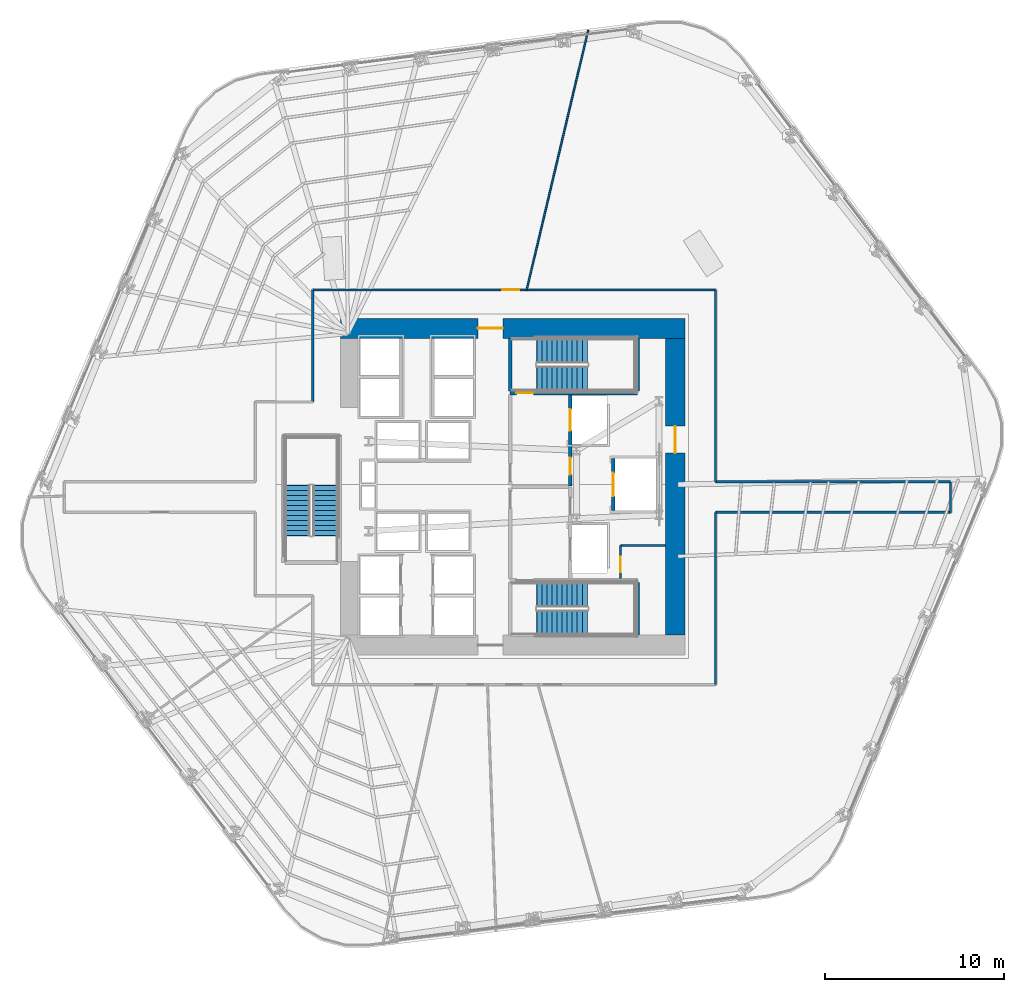
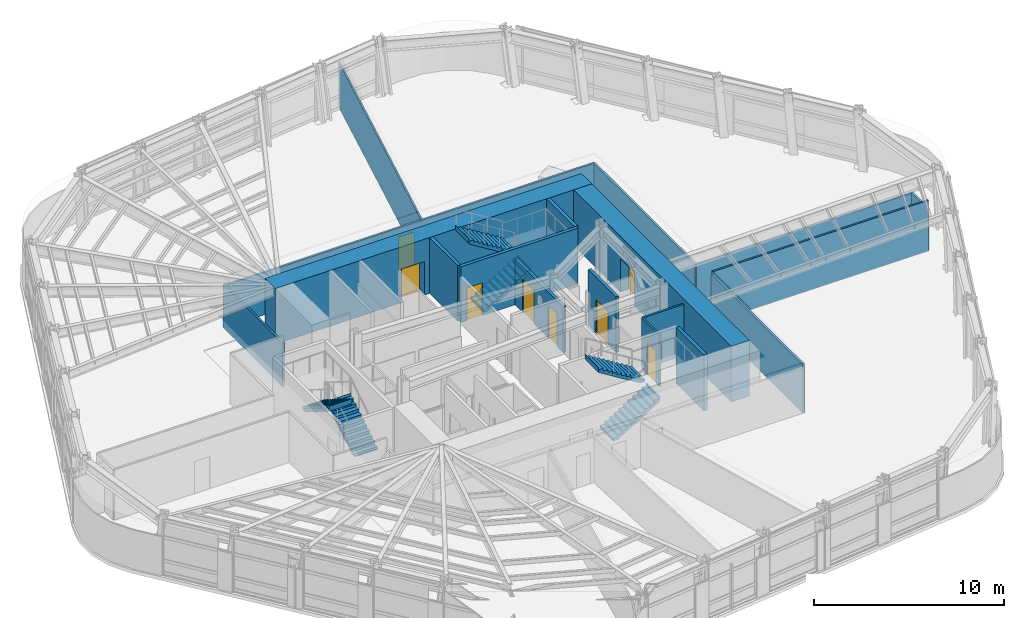
# One storey, part 9 of 16: 18 walls, 8 doors, 6 stair flights, 8 openings, 3 elements without a shape of their own.
"""IFC4 building model written with IfcOpenShell, lengths in metres."""

from ifc_helpers import new_model, si_unit, direction, frame, frame_2d, origin, place, context, subcontext, project, spatial, polyline, rectangle, outline, extrude, material, layer, layer_set, type_object, element, fill, aggregate, save


model = new_model("IFC4")

# Units and contexts
model_context = context("Model", 3, precision=1e-05, world=origin(), true_north=direction((0.0, 1.0)))
body_context = subcontext(model_context, "Body", "Model", "MODEL_VIEW")
ifc_project = project(units=[si_unit("LENGTHUNIT", "METRE"), si_unit("AREAUNIT", "SQUARE_METRE"), si_unit("VOLUMEUNIT", "CUBIC_METRE"), si_unit("PLANEANGLEUNIT", "RADIAN"), si_unit("MASSUNIT", "GRAM", prefix="KILO")], contexts=[model_context])

# Site, building, storey
site_placement = place(None, origin())
site = spatial("IfcSite", under=ifc_project, at=site_placement, CompositionType="ELEMENT")
building_placement = place(site_placement, origin())
building = spatial("IfcBuilding", under=site, at=building_placement, Name="Valkerne Bourse Tower", CompositionType="ELEMENT")
storey_placement = place(building_placement, frame((0.0, 0.0, 54.39990234375)))
storey = spatial("IfcBuildingStorey", under=building, at=storey_placement, Name="L13", CompositionType="ELEMENT", Elevation=54.39990234375)

# Wall, opening, door
ifc_material_1 = material(Name="Concrete C70/85", Category="concrete")
ifc_layer_1 = layer(ifc_material_1, 1.10009765625)
ifc_layer_set_1 = layer_set([ifc_layer_1], Name="Concrete C70/85")
wall_type_1 = type_object("IfcWallType", Name="W-CORE-1100", PredefinedType="SHEAR", material=ifc_layer_set_1)
wall_1_placement = place(storey_placement, frame((37.199951171875, 35.699951171875, 0.0), z_axis=(0.0, 0.0, 1.0), x_axis=(1.0, 0.0, 0.0)))
wall_1 = element("IfcWall", 1, at=wall_1_placement, inside=storey, type_object=wall_type_1, Name="L13 Core Shear Wall NORTH", PredefinedType="SHEAR", context=body_context, shape_type="SweptSolid", body=[
    extrude(rectangle(XDim=19.199951171875, YDim=1.10009765625, at=frame_2d((9.60009765625, 0.0))), origin(), (0.0, 0.0, 1.0), 3.580078125),
])
opening_1_placement = place(wall_1_placement, frame((7.64990234375, 0.0, 0.0)))
opening_1 = element("IfcOpeningElement", 2, at=opening_1_placement, cuts=wall_1, Name="Opening D-PL-1400", PredefinedType="OPENING", context=body_context, shape_type="SweptSolid", body=[
    extrude(rectangle(XDim=1.39990234375, YDim=2.14990234375, at=frame_2d((0.699951171875, 1.074951171875))), frame((0.0, 0.56005859375, 0.0), z_axis=(0.0, -1.0, 0.0), x_axis=(1.0, 0.0, 0.0)), (0.0, 0.0, 1.0), 1.1201171875),
])
ifc_material_2 = material(Name="Galvanised Painted Steel", Category="steel")
door_type_1 = type_object("IfcDoorType", Name="DR-PLT-1400", OperationType="DOUBLE_DOOR_SINGLE_SWING", PredefinedType="DOOR", material=ifc_material_2)
door_1_placement = place(opening_1_placement, origin())
door_1 = element("IfcDoor", 3, at=door_1_placement, inside=storey, type_object=door_type_1, Name="L13 North Passenger Lift Hall Fire Door", OperationType="DOUBLE_DOOR_SINGLE_SWING", OverallHeight=2.14990234375, OverallWidth=1.39990234375, PredefinedType="DOOR", context=body_context, shape_type="SweptSolid", body=[
    extrude(rectangle(XDim=1.39990234375, YDim=2.14990234375, at=frame_2d((0.699951171875, 1.074951171875))), frame((0.0, 0.02490234375, 0.0), z_axis=(0.0, -1.0, 0.0), x_axis=(1.0, 0.0, 0.0)), (0.0, 0.0, 1.0), 0.050048828125),
])
fill(opening_1, door_1)

wall_2_placement = place(storey_placement, frame((55.85009765625, 18.60009765625, 0.0), z_axis=(0.0, 0.0, 1.0), x_axis=(0.0, 1.0, 0.0)))
wall_2 = element("IfcWall", 4, at=wall_2_placement, inside=storey, type_object=wall_type_1, Name="L13 Core Shear Wall EAST", PredefinedType="SHEAR", context=body_context, shape_type="SweptSolid", body=[
    extrude(rectangle(XDim=16.5498046875, YDim=1.10009765625, at=frame_2d((8.27490234375, 0.0))), origin(), (0.0, 0.0, 1.0), 3.580078125),
])
opening_2_placement = place(wall_2_placement, frame((10.14990234375, 0.0, 0.0)))
opening_2 = element("IfcOpeningElement", 5, at=opening_2_placement, cuts=wall_2, Name="Opening D-CR-1500", PredefinedType="OPENING", context=body_context, shape_type="SweptSolid", body=[
    extrude(rectangle(XDim=1.5, YDim=2.14990234375, at=frame_2d((0.75, 1.074951171875))), frame((0.0, 0.56005859375, 0.0), z_axis=(0.0, -1.0, 0.0), x_axis=(1.0, 0.0, 0.0)), (0.0, 0.0, 1.0), 1.1201171875),
])
door_type_2 = type_object("IfcDoorType", Name="DR-CORR-1500", OperationType="DOUBLE_DOOR_SINGLE_SWING", PredefinedType="DOOR", material=ifc_material_2)
door_2_placement = place(opening_2_placement, origin())
door_2 = element("IfcDoor", 6, at=door_2_placement, inside=storey, type_object=door_type_2, Name="L13 East Core Service Lobby Fire Door", OperationType="DOUBLE_DOOR_SINGLE_SWING", OverallHeight=2.14990234375, OverallWidth=1.5, PredefinedType="DOOR", context=body_context, shape_type="SweptSolid", body=[
    extrude(rectangle(XDim=1.5, YDim=2.14990234375, at=frame_2d((0.75, 1.074951171875))), frame((0.0, 0.02490234375, 0.0), z_axis=(0.0, -1.0, 0.0), x_axis=(1.0, 0.0, 0.0)), (0.0, 0.0, 1.0), 0.050048828125),
])
fill(opening_2, door_2)

ifc_material_3 = material(Name="Gypsum Board Steel-Stud Partition", Category="steel")
ifc_layer_2 = layer(ifc_material_3, 0.117919921875)
ifc_layer_set_2 = layer_set([ifc_layer_2], Name="Gypsum Board Steel-Stud Partition")
wall_type_2 = type_object("IfcWallType", Name="W-CORR-140", PredefinedType="PARTITIONING", material=ifc_layer_set_2)
wall_3_placement = place(storey_placement, frame((52.800048828125, 21.75, 0.0), z_axis=(0.0, 0.0, 1.0), x_axis=(0.0, 1.0, 0.0)))
wall_3 = element("IfcWall", 7, at=wall_3_placement, inside=storey, type_object=wall_type_2, Name="L13 Core SE South-Bay West Wall", PredefinedType="PARTITIONING", context=body_context, shape_type="SweptSolid", body=[
    extrude(rectangle(XDim=1.85009765625, YDim=0.117919921875, at=frame_2d((0.925048828125, 0.0))), origin(), (0.0, 0.0, 1.0), 3.280029296875),
])
opening_3_placement = place(wall_3_placement, frame((0.35009765625, 0.0, 0.0)))
opening_3 = element("IfcOpeningElement", 8, at=opening_3_placement, cuts=wall_3, Name="Opening D-WC-900", PredefinedType="OPENING", context=body_context, shape_type="SweptSolid", body=[
    extrude(rectangle(XDim=0.860107421875, YDim=2.050048828125, at=frame_2d((0.43017578125, 1.02490234375))), frame((0.0, 0.06884765625, 0.0), z_axis=(0.0, -1.0, 0.0), x_axis=(1.0, 0.0, 0.0)), (0.0, 0.0, 1.0), 0.137939453125),
])
ifc_material_4 = material(Name="Architectural White Oak Timber", Category="wood")
door_type_3 = type_object("IfcDoorType", Name="DR-WC-900", OperationType="NOTDEFINED", PredefinedType="DOOR", material=ifc_material_4)
door_3_placement = place(opening_3_placement, origin())
door_3 = element("IfcDoor", 9, at=door_3_placement, inside=storey, type_object=door_type_3, Name="L13 Janitor Store Door", OperationType="SINGLE_SWING_LEFT", OverallHeight=2.050048828125, OverallWidth=0.860107421875, PredefinedType="DOOR", context=body_context, shape_type="SweptSolid", body=[
    extrude(rectangle(XDim=0.860107421875, YDim=2.050048828125, at=frame_2d((0.43017578125, 1.02490234375))), frame((0.0, 0.02490234375, 0.0), z_axis=(0.0, -1.0, 0.0), x_axis=(1.0, 0.0, 0.0)), (0.0, 0.0, 1.0), 0.050048828125),
])
fill(opening_3, door_3)

# Walls
wall_4_placement = place(storey_placement, frame((52.800048828125, 23.60009765625, 0.0), z_axis=(0.0, 0.0, 1.0), x_axis=(1.0, 0.0, 0.0)))
element("IfcWall", 10, at=wall_4_placement, inside=storey, type_object=wall_type_2, Name="L13 Core SE South-Bay North Wall", PredefinedType="PARTITIONING", context=body_context, shape_type="SweptSolid", body=[
    extrude(rectangle(XDim=2.52001953125, YDim=0.117919921875, at=frame_2d((1.260009765625, 0.0))), origin(), (0.0, 0.0, 1.0), 3.280029296875),
])
wall_5_placement = place(storey_placement, frame((58.10009765625, 27.14990234375, 0.0), z_axis=(0.0, 0.0, 1.0), x_axis=(1.0, 0.0, 0.0)))
element("IfcWall", 11, at=wall_5_placement, inside=storey, type_object=wall_type_2, Name="L13 Corridor Enclosure Wall", PredefinedType="PARTITIONING", context=body_context, shape_type="SweptSolid", body=[
    extrude(rectangle(XDim=13.099853515625, YDim=0.117919921875, at=frame_2d((6.5498046875, 0.0))), origin(), (0.0, 0.0, 1.0), 2.71142578125),
])
wall_6_placement = place(storey_placement, frame((71.199951171875, 27.14990234375, 0.0), z_axis=(0.0, 0.0, 1.0), x_axis=(0.0, -1.0, 0.0)))
element("IfcWall", 12, at=wall_6_placement, inside=storey, type_object=wall_type_2, Name="L13 Corridor Enclosure Wall", PredefinedType="PARTITIONING", context=body_context, shape_type="SweptSolid", body=[
    extrude(rectangle(XDim=1.699951171875, YDim=0.117919921875, at=frame_2d((0.85009765625, 0.0))), origin(), (0.0, 0.0, 1.0), 2.71142578125),
])
wall_7_placement = place(storey_placement, frame((71.199951171875, 25.449951171875, 0.0), z_axis=(0.0, 0.0, 1.0), x_axis=(-1.0, 0.0, 0.0)))
element("IfcWall", 13, at=wall_7_placement, inside=storey, type_object=wall_type_2, Name="L13 Corridor Enclosure Wall", PredefinedType="PARTITIONING", context=body_context, shape_type="SweptSolid", body=[
    extrude(rectangle(XDim=13.099853515625, YDim=0.117919921875, at=frame_2d((6.5498046875, 0.0))), origin(), (0.0, 0.0, 1.0), 3.260009765625),
])
wall_8_placement = place(storey_placement, frame((58.10009765625, 25.449951171875, 0.0), z_axis=(0.0, 0.0, 1.0), x_axis=(0.0, -1.0, 0.0)))
element("IfcWall", 14, at=wall_8_placement, inside=storey, type_object=wall_type_2, Name="L13 Corridor Enclosure Wall", PredefinedType="PARTITIONING", context=body_context, shape_type="SweptSolid", body=[
    extrude(rectangle(XDim=9.599853515625, YDim=0.117919921875, at=frame_2d((4.7998046875, 0.0))), origin(), (0.0, 0.0, 1.0), 3.11279296875),
])
wall_9_placement = place(storey_placement, frame((35.64990234375, 31.60009765625, 0.0), z_axis=(0.0, 0.0, 1.0), x_axis=(0.0, 1.0, 0.0)))
element("IfcWall", 15, at=wall_9_placement, inside=storey, type_object=wall_type_2, Name="L13 Corridor Enclosure Wall", PredefinedType="PARTITIONING", context=body_context, shape_type="SweptSolid", body=[
    extrude(rectangle(XDim=6.25, YDim=0.117919921875, at=frame_2d((3.125, 0.0))), origin(), (0.0, 0.0, 1.0), 2.800537109375),
])

# Wall, opening, door
wall_10_placement = place(storey_placement, frame((35.64990234375, 37.85009765625, 0.0), z_axis=(0.0, 0.0, 1.0), x_axis=(1.0, 0.0, 0.0)))
wall_10 = element("IfcWall", 16, at=wall_10_placement, inside=storey, type_object=wall_type_2, Name="L13 Corridor Enclosure Wall", PredefinedType="PARTITIONING", context=body_context, shape_type="SweptSolid", body=[
    extrude(rectangle(XDim=22.4501953125, YDim=0.117919921875, at=frame_2d((11.22509765625, 0.0))), origin(), (0.0, 0.0, 1.0), 2.71142578125),
])
opening_4_placement = place(wall_10_placement, frame((10.570068359375, 0.0, 0.0)))
opening_4 = element("IfcOpeningElement", 17, at=opening_4_placement, cuts=wall_10, Name="Opening D-OF-950", PredefinedType="OPENING", context=body_context, shape_type="SweptSolid", body=[
    extrude(rectangle(XDim=0.949951171875, YDim=2.10009765625, at=frame_2d((0.47509765625, 1.050048828125))), frame((0.0, 0.06884765625, 0.0), z_axis=(0.0, -1.0, 0.0), x_axis=(1.0, 0.0, 0.0)), (0.0, 0.0, 1.0), 0.137939453125),
])
door_type_4 = type_object("IfcDoorType", Name="DR-OFF-950", OperationType="NOTDEFINED", PredefinedType="DOOR", material=ifc_material_4)
door_4_placement = place(opening_4_placement, origin())
door_4 = element("IfcDoor", 18, at=door_4_placement, inside=storey, type_object=door_type_4, Name="L13 L13 Commodities Market Showroom 5 Door", OperationType="SINGLE_SWING_LEFT", OverallHeight=2.10009765625, OverallWidth=0.949951171875, PredefinedType="DOOR", context=body_context, shape_type="SweptSolid", body=[
    extrude(rectangle(XDim=0.949951171875, YDim=2.10009765625, at=frame_2d((0.47509765625, 1.050048828125))), frame((0.0, 0.02490234375, 0.0), z_axis=(0.0, -1.0, 0.0), x_axis=(1.0, 0.0, 0.0)), (0.0, 0.0, 1.0), 0.050048828125),
])
fill(opening_4, door_4)

# Wall
wall_11_placement = place(storey_placement, frame((58.10009765625, 37.85009765625, 0.0), z_axis=(0.0, 0.0, 1.0), x_axis=(0.0, -1.0, 0.0)))
element("IfcWall", 19, at=wall_11_placement, inside=storey, type_object=wall_type_2, Name="L13 Corridor Enclosure Wall", PredefinedType="PARTITIONING", context=body_context, shape_type="SweptSolid", body=[
    extrude(rectangle(XDim=10.7001953125, YDim=0.117919921875, at=frame_2d((5.35009765625, 0.0))), origin(), (0.0, 0.0, 1.0), 2.71142578125),
])

# Wall, openings, doors
ifc_material_5 = material(Name="Gypsum Fire-Rated Shaftwall", Category="gypsum")
ifc_layer_3 = layer(ifc_material_5, 0.179931640625)
ifc_layer_set_3 = layer_set([ifc_layer_3], Name="Gypsum Fire-Rated Shaftwall")
wall_type_3 = type_object("IfcWallType", Name="W-FSAE-180", PredefinedType="PARTITIONING", material=ifc_layer_set_3)
wall_12_placement = place(storey_placement, frame((50.0, 26.919921875, 0.0), z_axis=(0.0, 0.0, 1.0), x_axis=(0.0, 1.0, 0.0)))
wall_12 = element("IfcWall", 20, at=wall_12_placement, inside=storey, type_object=wall_type_3, Name="L13 FSAE-2 Lobby & Shaft Front Wall", PredefinedType="PARTITIONING", context=body_context, shape_type="SweptSolid", body=[
    extrude(rectangle(XDim=5.080078125, YDim=0.179931640625, at=frame_2d((2.5400390625, 0.0))), origin(), (0.0, 0.0, 1.0), 2.9580078125),
])
opening_5_placement = place(wall_12_placement, frame((3.080078125, 0.0, 0.0)))
opening_5 = element("IfcOpeningElement", 21, at=opening_5_placement, cuts=wall_12, Name="Opening LD-1200", PredefinedType="OPENING", context=body_context, shape_type="SweptSolid", body=[
    extrude(rectangle(XDim=1.199951171875, YDim=2.14990234375, at=frame_2d((0.60009765625, 1.074951171875))), frame((0.0, 0.099853515625, 0.0), z_axis=(0.0, -1.0, 0.0), x_axis=(1.0, 0.0, 0.0)), (0.0, 0.0, 1.0), 0.199951171875),
])
opening_6_placement = place(wall_12_placement, frame((0.6298828125, 0.0, 0.0)))
opening_6 = element("IfcOpeningElement", 22, at=opening_6_placement, cuts=wall_12, Name="Opening D-FS-950", PredefinedType="OPENING", context=body_context, shape_type="SweptSolid", body=[
    extrude(rectangle(XDim=0.949951171875, YDim=2.10009765625, at=frame_2d((0.47509765625, 1.050048828125))), frame((0.0, 0.099853515625, 0.0), z_axis=(0.0, -1.0, 0.0), x_axis=(1.0, 0.0, 0.0)), (0.0, 0.0, 1.0), 0.199951171875),
])
door_type_5 = type_object("IfcDoorType", Name="DR-FSAE-950", OperationType="NOTDEFINED", PredefinedType="DOOR", material=ifc_material_2)
door_5_placement = place(opening_6_placement, origin())
door_5 = element("IfcDoor", 23, at=door_5_placement, inside=storey, type_object=door_type_5, Name="L13 FSAE-2 Lobby Corridor Fire Door", OperationType="SINGLE_SWING_RIGHT", OverallHeight=2.10009765625, OverallWidth=0.949951171875, PredefinedType="DOOR", context=body_context, shape_type="SweptSolid", body=[
    extrude(rectangle(XDim=0.949951171875, YDim=2.10009765625, at=frame_2d((0.47509765625, 1.050048828125))), frame((0.0, 0.02490234375, 0.0), z_axis=(0.0, -1.0, 0.0), x_axis=(1.0, 0.0, 0.0)), (0.0, 0.0, 1.0), 0.050048828125),
])
fill(opening_6, door_5)
ifc_material_6 = material(Name="Stainless Steel AISI 316", Category="steel")
door_type_6 = type_object("IfcDoorType", Name="DR-LIFT-1200", OperationType="DOUBLE_DOOR_SLIDING", PredefinedType="DOOR", material=ifc_material_6)
door_6_placement = place(opening_5_placement, origin())
door_6 = element("IfcDoor", 24, at=door_6_placement, inside=storey, type_object=door_type_6, Name="L13 FSAE-2 Firefighting Lift Landing Door", OperationType="DOUBLE_DOOR_SLIDING", OverallHeight=2.14990234375, OverallWidth=1.199951171875, PredefinedType="DOOR", context=body_context, shape_type="SweptSolid", body=[
    extrude(rectangle(XDim=1.199951171875, YDim=2.14990234375, at=frame_2d((0.60009765625, 1.074951171875))), frame((0.0, 0.02490234375, 0.0), z_axis=(0.0, -1.0, 0.0), x_axis=(1.0, 0.0, 0.0)), (0.0, 0.0, 1.0), 0.050048828125),
])
fill(opening_5, door_6)

# Wall, opening, door
ifc_material_7 = material(Name="CMU Blockwork Masonry 200mm", Category="masonry")
ifc_layer_4 = layer(ifc_material_7, 0.179931640625)
ifc_layer_set_4 = layer_set([ifc_layer_4], Name="CMU Blockwork Masonry 200mm")
wall_type_4 = type_object("IfcWallType", Name="W-LFT-180", PredefinedType="SOLIDWALL", material=ifc_layer_set_4)
wall_13_placement = place(storey_placement, frame((52.39990234375, 25.550048828125, 0.0), z_axis=(0.0, 0.0, 1.0), x_axis=(0.0, 1.0, 0.0)))
wall_13 = element("IfcWall", 25, at=wall_13_placement, inside=storey, type_object=wall_type_4, Name="L13 Service Lift SV-1 Front Wall", PredefinedType="SOLIDWALL", context=body_context, shape_type="SweptSolid", body=[
    extrude(rectangle(XDim=2.89990234375, YDim=0.179931640625, at=frame_2d((1.449951171875, 0.0))), origin(), (0.0, 0.0, 1.0), 3.580078125),
])
opening_7_placement = place(wall_13_placement, frame((0.800048828125, 0.0, 0.0)))
opening_7 = element("IfcOpeningElement", 26, at=opening_7_placement, cuts=wall_13, Name="Opening LD-1300", PredefinedType="OPENING", context=body_context, shape_type="SweptSolid", body=[
    extrude(rectangle(XDim=1.300048828125, YDim=2.14990234375, at=frame_2d((0.64990234375, 1.074951171875))), frame((0.0, 0.099853515625, 0.0), z_axis=(0.0, -1.0, 0.0), x_axis=(1.0, 0.0, 0.0)), (0.0, 0.0, 1.0), 0.199951171875),
])
door_type_7 = type_object("IfcDoorType", Name="DR-LIFT-1300", OperationType="DOUBLE_DOOR_SLIDING", PredefinedType="DOOR", material=ifc_material_6)
door_7_placement = place(opening_7_placement, origin())
door_7 = element("IfcDoor", 27, at=door_7_placement, inside=storey, type_object=door_type_7, Name="L13 Service Lift SV-1 Landing Door", OperationType="DOUBLE_DOOR_SLIDING", OverallHeight=2.14990234375, OverallWidth=1.300048828125, PredefinedType="DOOR", context=body_context, shape_type="SweptSolid", body=[
    extrude(rectangle(XDim=1.300048828125, YDim=2.14990234375, at=frame_2d((0.64990234375, 1.074951171875))), frame((0.0, 0.02490234375, 0.0), z_axis=(0.0, -1.0, 0.0), x_axis=(1.0, 0.0, 0.0)), (0.0, 0.0, 1.0), 0.050048828125),
])
fill(opening_7, door_7)

# Walls
ifc_layer_5 = layer(ifc_material_3, 0.092041015625)
ifc_layer_set_5 = layer_set([ifc_layer_5], Name="Gypsum Board Steel-Stud Partition")
wall_type_5 = type_object("IfcWallType", Name="W-PART-115", PredefinedType="PARTITIONING", material=ifc_layer_set_5)
wall_14_placement = place(storey_placement, frame((47.572998046875, 37.85498046875, 0.0), z_axis=(0.0, 0.0, 1.0), x_axis=(0.230656694408, 0.973035194289, 0.0)))
element("IfcWall", 28, at=wall_14_placement, inside=storey, type_object=wall_type_5, Name="L13 Suite Partition P04", PredefinedType="PARTITIONING", context=body_context, shape_type="SweptSolid", body=[
    extrude(rectangle(XDim=14.864013671875, YDim=0.092041015625, at=frame_2d((7.43212890625, 0.0))), origin(), (0.0, 0.0, 1.0), 2.864013671875),
])
ifc_material_8 = material(Name="Concrete C40/50", Category="concrete")
ifc_layer_6 = layer(ifc_material_8, 0.199951171875)
ifc_layer_set_6 = layer_set([ifc_layer_6], Name="Concrete C40/50")
wall_type_6 = type_object("IfcWallType", Name="W-SHF-200", PredefinedType="SHEAR", material=ifc_layer_set_6)
wall_15_placement = place(storey_placement, frame((53.75, 18.60009765625, 0.0), z_axis=(0.0, 0.0, 1.0), x_axis=(0.0, 1.0, 0.0)))
element("IfcWall", 29, at=wall_15_placement, inside=storey, type_object=wall_type_6, Name="L13 Exit Stair ST-1 Structural Shaft Wall East", PredefinedType="SHEAR", context=body_context, shape_type="SweptSolid", body=[
    extrude(rectangle(XDim=2.949951171875, YDim=0.199951171875, at=frame_2d((1.47509765625, 0.0))), origin(), (0.0, 0.0, 1.0), 3.580078125),
])

# Wall, opening, door
wall_16_placement = place(storey_placement, frame((46.64990234375, 32.10009765625, 0.0), z_axis=(0.0, 0.0, 1.0), x_axis=(1.0, 0.0, 0.0)))
wall_16 = element("IfcWall", 30, at=wall_16_placement, inside=storey, type_object=wall_type_6, Name="L13 Exit Stair ST-2 Structural Shaft Wall South", PredefinedType="SHEAR", context=body_context, shape_type="SweptSolid", body=[
    extrude(rectangle(XDim=7.10009765625, YDim=0.199951171875, at=frame_2d((3.550048828125, 0.0))), origin(), (0.0, 0.0, 1.0), 3.580078125),
])
opening_8_placement = place(wall_16_placement, frame((0.35009765625, 0.0, 0.0)))
opening_8 = element("IfcOpeningElement", 31, at=opening_8_placement, cuts=wall_16, Name="Opening D-ST-950", PredefinedType="OPENING", context=body_context, shape_type="SweptSolid", body=[
    extrude(rectangle(XDim=0.949951171875, YDim=2.10009765625, at=frame_2d((0.47509765625, 1.050048828125))), frame((0.0, 0.10986328125, 0.0), z_axis=(0.0, -1.0, 0.0), x_axis=(1.0, 0.0, 0.0)), (0.0, 0.0, 1.0), 0.219970703125),
])
door_type_8 = type_object("IfcDoorType", Name="DR-STAIR-950", OperationType="NOTDEFINED", PredefinedType="DOOR", material=ifc_material_2)
door_8_placement = place(opening_8_placement, origin())
door_8 = element("IfcDoor", 32, at=door_8_placement, inside=storey, type_object=door_type_8, Name="L13 Exit Stair ST-2 Door", OperationType="SINGLE_SWING_RIGHT", OverallHeight=2.10009765625, OverallWidth=0.949951171875, PredefinedType="DOOR", context=body_context, shape_type="SweptSolid", body=[
    extrude(rectangle(XDim=0.949951171875, YDim=2.10009765625, at=frame_2d((0.47509765625, 1.050048828125))), frame((0.0, 0.02490234375, 0.0), z_axis=(0.0, -1.0, 0.0), x_axis=(1.0, 0.0, 0.0)), (0.0, 0.0, 1.0), 0.050048828125),
])
fill(opening_8, door_8)

# Walls
for number, where, z_axis, x_axis, name in (
    (33, (46.64990234375, 32.199951171875, 0.0), (0.0, 0.0, 1.0), (0.0, 1.0, 0.0), "L13 Exit Stair ST-2 Structural Shaft Wall West"),
    (34, (53.75, 32.199951171875, 0.0), (0.0, 0.0, 1.0), (0.0, 1.0, 0.0), "L13 Exit Stair ST-2 Structural Shaft Wall East"),
):
    element("IfcWall", number, at=place(storey_placement, frame(where, z_axis=z_axis, x_axis=x_axis)), inside=storey, type_object=wall_type_6, Name=name, PredefinedType="SHEAR", context=body_context, shape_type="SweptSolid", body=[
        extrude(rectangle(XDim=2.949951171875, YDim=0.199951171875, at=frame_2d((1.47509765625, 0.0))), origin(), (0.0, 0.0, 1.0), 3.580078125),
    ])

# Stair, stair flights
stair_type = type_object("IfcStairType", Name="ST-CORE-1400", PredefinedType="HALF_TURN_STAIR", material=ifc_material_8)
stair_1_placement = place(storey_placement, origin())
stair_1 = element("IfcStair", 35, at=stair_1_placement, inside=storey, type_object=stair_type, Name="L13 ST-1", PredefinedType="HALF_TURN_STAIR")
stair_flight_type = type_object("IfcStairFlightType", Name="STF-CORE-1400", PredefinedType="STRAIGHT", material=ifc_material_8)
stair_flight_1_placement = place(storey_placement, frame((48.14990234375, 19.300048828125, 0.0), z_axis=(0.0, 0.0, 1.0), x_axis=(1.0, 0.0, 0.0)))
stair_flight_1 = element("IfcStairFlight", 36, at=stair_flight_1_placement, type_object=stair_flight_type, Name="ST-1 flight 1", NumberOfRisers=11, NumberOfTreads=10, PredefinedType="STRAIGHT", RiserHeight=0.172727273, TreadLength=0.28, context=body_context, shape_type="SweptSolid", body=[
    extrude(outline(polyline([(-0.02001953125, 0.0), (-0.02001953125, 0.044921875), (0.0, 0.044921875), (0.0, 0.172607421875), (0.280029296875, 0.172607421875), (0.280029296875, 0.345458984375), (0.56005859375, 0.345458984375), (0.56005859375, 0.51806640625), (0.840087890625, 0.51806640625), (0.840087890625, 0.69091796875), (1.1201171875, 0.69091796875), (1.1201171875, 0.863525390625), (1.39990234375, 0.863525390625), (1.39990234375, 1.036376953125), (1.679931640625, 1.036376953125), (1.679931640625, 1.208984375), (1.9599609375, 1.208984375), (1.9599609375, 1.3818359375), (2.239990234375, 1.3818359375), (2.239990234375, 1.554443359375), (2.52001953125, 1.554443359375), (2.52001953125, 1.727294921875), (2.800048828125, 1.727294921875), (2.800048828125, 1.89990234375), (2.820068359375, 1.89990234375), (2.820068359375, 1.780029296875), (2.800048828125, 1.551025390625), (0.285400390625, 0.0), (-0.02001953125, 0.0)])), frame((0.0, 0.699951171875, 0.0), z_axis=(0.0, -1.0, 0.0), x_axis=(1.0, 0.0, 0.0)), (0.0, 0.0, 1.0), 1.39990234375),
])
stair_flight_2_placement = place(storey_placement, frame((50.949951171875, 20.85009765625, 1.900146484375), z_axis=(0.0, 0.0, 1.0), x_axis=(-1.0, 0.0, 0.0)))
stair_flight_2 = element("IfcStairFlight", 37, at=stair_flight_2_placement, type_object=stair_flight_type, Name="ST-1 flight 2", NumberOfRisers=11, NumberOfTreads=10, PredefinedType="STRAIGHT", RiserHeight=0.172727273, TreadLength=0.28, context=body_context, shape_type="SweptSolid", body=[
    extrude(outline(polyline([(-0.02001953125, 0.0), (-0.02001953125, 0.044921875), (0.0, 0.044921875), (0.0, 0.172607421875), (0.280029296875, 0.172607421875), (0.280029296875, 0.345458984375), (0.56005859375, 0.345458984375), (0.56005859375, 0.51806640625), (0.840087890625, 0.51806640625), (0.840087890625, 0.69091796875), (1.1201171875, 0.69091796875), (1.1201171875, 0.863525390625), (1.39990234375, 0.863525390625), (1.39990234375, 1.036376953125), (1.679931640625, 1.036376953125), (1.679931640625, 1.208984375), (1.9599609375, 1.208984375), (1.9599609375, 1.3818359375), (2.239990234375, 1.3818359375), (2.239990234375, 1.554443359375), (2.52001953125, 1.554443359375), (2.52001953125, 1.727294921875), (2.800048828125, 1.727294921875), (2.800048828125, 1.89990234375), (2.820068359375, 1.89990234375), (2.820068359375, 1.780029296875), (2.800048828125, 1.551025390625), (0.285400390625, 0.0), (-0.02001953125, 0.0)])), frame((0.0, 0.699951171875, 0.0), z_axis=(0.0, -1.0, 0.0), x_axis=(1.0, 0.0, 0.0)), (0.0, 0.0, 1.0), 1.39990234375),
])
aggregate(stair_1, [stair_flight_1, stair_flight_2])

stair_2_placement = place(storey_placement, origin())
stair_2 = element("IfcStair", 38, at=stair_2_placement, inside=storey, type_object=stair_type, Name="L13 ST-2", PredefinedType="HALF_TURN_STAIR")
stair_flight_3_placement = place(storey_placement, frame((48.14990234375, 32.89990234375, 0.0), z_axis=(0.0, 0.0, 1.0), x_axis=(1.0, 0.0, 0.0)))
stair_flight_3 = element("IfcStairFlight", 39, at=stair_flight_3_placement, type_object=stair_flight_type, Name="ST-2 flight 1", NumberOfRisers=11, NumberOfTreads=10, PredefinedType="STRAIGHT", RiserHeight=0.172727273, TreadLength=0.28, context=body_context, shape_type="SweptSolid", body=[
    extrude(outline(polyline([(-0.02001953125, 0.0), (-0.02001953125, 0.044921875), (0.0, 0.044921875), (0.0, 0.172607421875), (0.280029296875, 0.172607421875), (0.280029296875, 0.345458984375), (0.56005859375, 0.345458984375), (0.56005859375, 0.51806640625), (0.840087890625, 0.51806640625), (0.840087890625, 0.69091796875), (1.1201171875, 0.69091796875), (1.1201171875, 0.863525390625), (1.39990234375, 0.863525390625), (1.39990234375, 1.036376953125), (1.679931640625, 1.036376953125), (1.679931640625, 1.208984375), (1.9599609375, 1.208984375), (1.9599609375, 1.3818359375), (2.239990234375, 1.3818359375), (2.239990234375, 1.554443359375), (2.52001953125, 1.554443359375), (2.52001953125, 1.727294921875), (2.800048828125, 1.727294921875), (2.800048828125, 1.89990234375), (2.820068359375, 1.89990234375), (2.820068359375, 1.780029296875), (2.800048828125, 1.551025390625), (0.285400390625, 0.0), (-0.02001953125, 0.0)])), frame((0.0, 0.699951171875, 0.0), z_axis=(0.0, -1.0, 0.0), x_axis=(1.0, 0.0, 0.0)), (0.0, 0.0, 1.0), 1.39990234375),
])
stair_flight_4_placement = place(storey_placement, frame((50.949951171875, 34.449951171875, 1.900146484375), z_axis=(0.0, 0.0, 1.0), x_axis=(-1.0, 0.0, 0.0)))
stair_flight_4 = element("IfcStairFlight", 40, at=stair_flight_4_placement, type_object=stair_flight_type, Name="ST-2 flight 2", NumberOfRisers=11, NumberOfTreads=10, PredefinedType="STRAIGHT", RiserHeight=0.172727273, TreadLength=0.28, context=body_context, shape_type="SweptSolid", body=[
    extrude(outline(polyline([(-0.02001953125, 0.0), (-0.02001953125, 0.044921875), (0.0, 0.044921875), (0.0, 0.172607421875), (0.280029296875, 0.172607421875), (0.280029296875, 0.345458984375), (0.56005859375, 0.345458984375), (0.56005859375, 0.51806640625), (0.840087890625, 0.51806640625), (0.840087890625, 0.69091796875), (1.1201171875, 0.69091796875), (1.1201171875, 0.863525390625), (1.39990234375, 0.863525390625), (1.39990234375, 1.036376953125), (1.679931640625, 1.036376953125), (1.679931640625, 1.208984375), (1.9599609375, 1.208984375), (1.9599609375, 1.3818359375), (2.239990234375, 1.3818359375), (2.239990234375, 1.554443359375), (2.52001953125, 1.554443359375), (2.52001953125, 1.727294921875), (2.800048828125, 1.727294921875), (2.800048828125, 1.89990234375), (2.820068359375, 1.89990234375), (2.820068359375, 1.780029296875), (2.800048828125, 1.551025390625), (0.285400390625, 0.0), (-0.02001953125, 0.0)])), frame((0.0, 0.699951171875, 0.0), z_axis=(0.0, -1.0, 0.0), x_axis=(1.0, 0.0, 0.0)), (0.0, 0.0, 1.0), 1.39990234375),
])
aggregate(stair_2, [stair_flight_3, stair_flight_4])

stair_3_placement = place(storey_placement, origin())
stair_3 = element("IfcStair", 41, at=stair_3_placement, inside=storey, type_object=stair_type, Name="L13 ST-3", PredefinedType="HALF_TURN_STAIR")
stair_flight_5_placement = place(storey_placement, frame((36.35009765625, 24.14990234375, 0.0), z_axis=(0.0, 0.0, 1.0), x_axis=(0.0, 1.0, 0.0)))
stair_flight_5 = element("IfcStairFlight", 42, at=stair_flight_5_placement, type_object=stair_flight_type, Name="ST-3 flight 1", NumberOfRisers=11, NumberOfTreads=10, PredefinedType="STRAIGHT", RiserHeight=0.172727273, TreadLength=0.28, context=body_context, shape_type="SweptSolid", body=[
    extrude(outline(polyline([(-0.02001953125, 0.0), (-0.02001953125, 0.044921875), (0.0, 0.044921875), (0.0, 0.172607421875), (0.280029296875, 0.172607421875), (0.280029296875, 0.345458984375), (0.56005859375, 0.345458984375), (0.56005859375, 0.51806640625), (0.840087890625, 0.51806640625), (0.840087890625, 0.69091796875), (1.1201171875, 0.69091796875), (1.1201171875, 0.863525390625), (1.39990234375, 0.863525390625), (1.39990234375, 1.036376953125), (1.679931640625, 1.036376953125), (1.679931640625, 1.208984375), (1.9599609375, 1.208984375), (1.9599609375, 1.3818359375), (2.239990234375, 1.3818359375), (2.239990234375, 1.554443359375), (2.52001953125, 1.554443359375), (2.52001953125, 1.727294921875), (2.800048828125, 1.727294921875), (2.800048828125, 1.89990234375), (2.820068359375, 1.89990234375), (2.820068359375, 1.780029296875), (2.800048828125, 1.551025390625), (0.285400390625, 0.0), (-0.02001953125, 0.0)])), frame((0.0, 0.699951171875, 0.0), z_axis=(0.0, -1.0, 0.0), x_axis=(1.0, 0.0, 0.0)), (0.0, 0.0, 1.0), 1.39990234375),
])
stair_flight_6_placement = place(storey_placement, frame((34.800048828125, 26.949951171875, 1.900146484375), z_axis=(0.0, 0.0, 1.0), x_axis=(0.0, -1.0, 0.0)))
stair_flight_6 = element("IfcStairFlight", 43, at=stair_flight_6_placement, type_object=stair_flight_type, Name="ST-3 flight 2", NumberOfRisers=11, NumberOfTreads=10, PredefinedType="STRAIGHT", RiserHeight=0.172727273, TreadLength=0.28, context=body_context, shape_type="SweptSolid", body=[
    extrude(outline(polyline([(-0.02001953125, 0.0), (-0.02001953125, 0.044921875), (0.0, 0.044921875), (0.0, 0.172607421875), (0.280029296875, 0.172607421875), (0.280029296875, 0.345458984375), (0.56005859375, 0.345458984375), (0.56005859375, 0.51806640625), (0.840087890625, 0.51806640625), (0.840087890625, 0.69091796875), (1.1201171875, 0.69091796875), (1.1201171875, 0.863525390625), (1.39990234375, 0.863525390625), (1.39990234375, 1.036376953125), (1.679931640625, 1.036376953125), (1.679931640625, 1.208984375), (1.9599609375, 1.208984375), (1.9599609375, 1.3818359375), (2.239990234375, 1.3818359375), (2.239990234375, 1.554443359375), (2.52001953125, 1.554443359375), (2.52001953125, 1.727294921875), (2.800048828125, 1.727294921875), (2.800048828125, 1.89990234375), (2.820068359375, 1.89990234375), (2.820068359375, 1.780029296875), (2.800048828125, 1.551025390625), (0.285400390625, 0.0), (-0.02001953125, 0.0)])), frame((0.0, 0.699951171875, 0.0), z_axis=(0.0, -1.0, 0.0), x_axis=(1.0, 0.0, 0.0)), (0.0, 0.0, 1.0), 1.39990234375),
])
aggregate(stair_3, [stair_flight_5, stair_flight_6])

save(model, "model.ifc")
